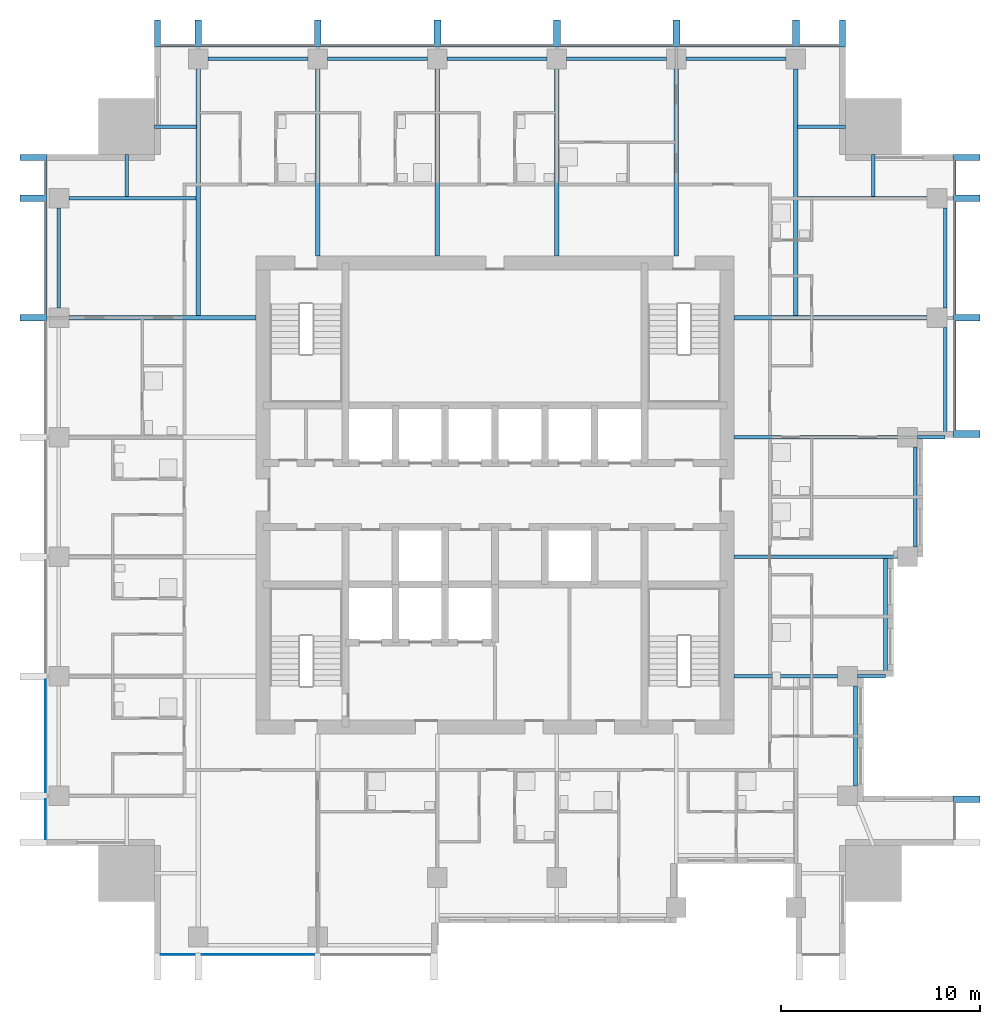
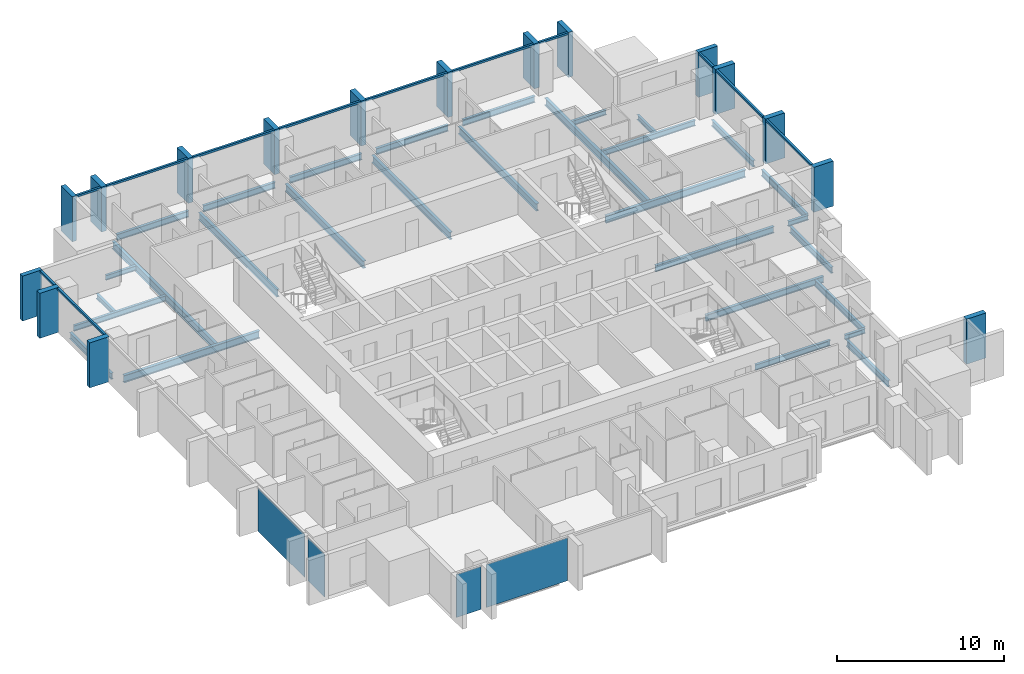
# One storey, part 2 of 11: 30 beams, 28 members, 4 plates, 5 elements without a shape of their own.
"""IFC4 building model written with IfcOpenShell, lengths in metres."""

from ifc_helpers import new_model, si_unit, direction, frame, origin, origin_2d, place, context, subcontext, project, spatial, rectangle, i_section, extrude, material, layer, layer_set, material_profile, profile_set, type_object, element, aggregate, save


model = new_model("IFC4")

# Units and contexts
model_context = context("Model", 3, precision=1e-05, world=origin(), true_north=direction((0.0, 1.0)))
body_context = subcontext(model_context, "Body", "Model", "MODEL_VIEW")
ifc_project = project(units=[si_unit("LENGTHUNIT", "METRE"), si_unit("AREAUNIT", "SQUARE_METRE"), si_unit("VOLUMEUNIT", "CUBIC_METRE"), si_unit("PLANEANGLEUNIT", "RADIAN"), si_unit("MASSUNIT", "GRAM", prefix="KILO")], contexts=[model_context])

# Site, building, storey
site_placement = place(None, origin())
site = spatial("IfcSite", under=ifc_project, at=site_placement, CompositionType="ELEMENT")
building_placement = place(site_placement, origin())
building = spatial("IfcBuilding", under=site, at=building_placement, Name="Amberfall Residences", CompositionType="ELEMENT")
storey_placement = place(building_placement, frame((0.0, 0.0, 161.5)))
storey = spatial("IfcBuildingStorey", under=building, at=storey_placement, Name="L43", CompositionType="ELEMENT", Elevation=161.5)

# Curtain wall, members
ifc_material_1 = material(Name="Bronze anodised aluminium and glass", Category="aluminium")
curtain_wall_type = type_object("IfcCurtainWallType", Name="Curtain wall CW1 tower unit", PredefinedType="USERDEFINED", material=ifc_material_1)
curtain_wall_1_placement = place(storey_placement, origin())
curtain_wall_1 = element("IfcCurtainWall", 1, at=curtain_wall_1_placement, inside=storey, type_object=curtain_wall_type, Name="Curtain wall L43 E E9", ObjectType="UNITISED CURTAIN WALL", PredefinedType="USERDEFINED")
ifc_material_2 = material(Name="Bronze anodised aluminium", Category="aluminium")
ifc_material_profile_1 = material_profile(ifc_material_2, rectangle(XDim=0.14990234375, YDim=0.14990234375, at=origin_2d()), Name="CW1 transom 150 x 150 bronze")
ifc_profile_set_1 = profile_set([ifc_material_profile_1], Name="Bronze anodised aluminium")
member_type_1 = type_object("IfcMemberType", Name="CW1 transom 150 x 150 bronze", PredefinedType="USERDEFINED", material=ifc_profile_set_1)
member_1_placement = place(storey_placement, frame((97.574951171875, 48.75, 2.97509765625), z_axis=(0.0, 1.0, 0.0), x_axis=(-1.0, 0.0, 0.0)))
member_1 = element("IfcMember", 2, at=member_1_placement, type_object=member_type_1, Name="CW1 transom 1.1", ObjectType="TRANSOM", PredefinedType="USERDEFINED", context=body_context, shape_type="SweptSolid", body=[
    extrude(rectangle(XDim=0.14990234375, YDim=0.14990234375, at=origin_2d()), origin(), (0.0, 0.0, 1.0), 5.47509765625),
])
member_2_placement = place(storey_placement, frame((97.574951171875, 54.574951171875, 2.97509765625), z_axis=(0.0, 1.0, 0.0), x_axis=(-1.0, 0.0, 0.0)))
member_2 = element("IfcMember", 3, at=member_2_placement, type_object=member_type_1, Name="CW1 transom 2.1", ObjectType="TRANSOM", PredefinedType="USERDEFINED", context=body_context, shape_type="SweptSolid", body=[
    extrude(rectangle(XDim=0.14990234375, YDim=0.14990234375, at=origin_2d()), origin(), (0.0, 0.0, 1.0), 5.650146484375),
])
member_3_placement = place(storey_placement, frame((97.574951171875, 60.574951171875, 2.97509765625), z_axis=(0.0, 1.0, 0.0), x_axis=(-1.0, 0.0, 0.0)))
member_3 = element("IfcMember", 4, at=member_3_placement, type_object=member_type_1, Name="CW1 transom 3.1", ObjectType="TRANSOM", PredefinedType="USERDEFINED", context=body_context, shape_type="SweptSolid", body=[
    extrude(rectangle(XDim=0.14990234375, YDim=0.14990234375, at=origin_2d()), origin(), (0.0, 0.0, 1.0), 1.72509765625),
])

curtain_wall_2_placement = place(storey_placement, origin())
curtain_wall_2 = element("IfcCurtainWall", 5, at=curtain_wall_2_placement, inside=storey, type_object=curtain_wall_type, Name="Curtain wall L43 N N1", ObjectType="UNITISED CURTAIN WALL", PredefinedType="USERDEFINED")
member_4_placement = place(storey_placement, frame((91.800048828125, 68.074951171875, 2.97509765625), z_axis=(-1.0, 0.0, 0.0), x_axis=(0.0, -1.0, 0.0)))
member_4 = element("IfcMember", 6, at=member_4_placement, type_object=member_type_1, Name="CW1 transom 1.1", ObjectType="TRANSOM", PredefinedType="USERDEFINED", context=body_context, shape_type="SweptSolid", body=[
    extrude(rectangle(XDim=0.14990234375, YDim=0.14990234375, at=origin_2d()), origin(), (0.0, 0.0, 1.0), 2.025146484375),
])
member_5_placement = place(storey_placement, frame((89.425048828125, 68.074951171875, 2.97509765625), z_axis=(-1.0, 0.0, 0.0), x_axis=(0.0, -1.0, 0.0)))
member_5 = element("IfcMember", 7, at=member_5_placement, type_object=member_type_1, Name="CW1 transom 2.1", ObjectType="TRANSOM", PredefinedType="USERDEFINED", context=body_context, shape_type="SweptSolid", body=[
    extrude(rectangle(XDim=0.14990234375, YDim=0.14990234375, at=origin_2d()), origin(), (0.0, 0.0, 1.0), 5.650146484375),
])
member_6_placement = place(storey_placement, frame((83.425048828125, 68.074951171875, 2.97509765625), z_axis=(-1.0, 0.0, 0.0), x_axis=(0.0, -1.0, 0.0)))
member_6 = element("IfcMember", 8, at=member_6_placement, type_object=member_type_1, Name="CW1 transom 3.1", ObjectType="TRANSOM", PredefinedType="USERDEFINED", context=body_context, shape_type="SweptSolid", body=[
    extrude(rectangle(XDim=0.14990234375, YDim=0.14990234375, at=origin_2d()), origin(), (0.0, 0.0, 1.0), 5.650146484375),
])
member_7_placement = place(storey_placement, frame((77.425048828125, 68.074951171875, 2.97509765625), z_axis=(-1.0, 0.0, 0.0), x_axis=(0.0, -1.0, 0.0)))
member_7 = element("IfcMember", 9, at=member_7_placement, type_object=member_type_1, Name="CW1 transom 4.1", ObjectType="TRANSOM", PredefinedType="USERDEFINED", context=body_context, shape_type="SweptSolid", body=[
    extrude(rectangle(XDim=0.14990234375, YDim=0.14990234375, at=origin_2d()), origin(), (0.0, 0.0, 1.0), 5.650146484375),
])
member_8_placement = place(storey_placement, frame((71.425048828125, 68.074951171875, 2.97509765625), z_axis=(-1.0, 0.0, 0.0), x_axis=(0.0, -1.0, 0.0)))
member_8 = element("IfcMember", 10, at=member_8_placement, type_object=member_type_1, Name="CW1 transom 5.1", ObjectType="TRANSOM", PredefinedType="USERDEFINED", context=body_context, shape_type="SweptSolid", body=[
    extrude(rectangle(XDim=0.14990234375, YDim=0.14990234375, at=origin_2d()), origin(), (0.0, 0.0, 1.0), 5.650146484375),
])
member_9_placement = place(storey_placement, frame((65.425048828125, 68.074951171875, 2.97509765625), z_axis=(-1.0, 0.0, 0.0), x_axis=(0.0, -1.0, 0.0)))
member_9 = element("IfcMember", 11, at=member_9_placement, type_object=member_type_1, Name="CW1 transom 6.1", ObjectType="TRANSOM", PredefinedType="USERDEFINED", context=body_context, shape_type="SweptSolid", body=[
    extrude(rectangle(XDim=0.14990234375, YDim=0.14990234375, at=origin_2d()), origin(), (0.0, 0.0, 1.0), 5.650146484375),
])
member_10_placement = place(storey_placement, frame((59.425048828125, 68.074951171875, 2.97509765625), z_axis=(-1.0, 0.0, 0.0), x_axis=(0.0, -1.0, 0.0)))
member_10 = element("IfcMember", 12, at=member_10_placement, type_object=member_type_1, Name="CW1 transom 7.1", ObjectType="TRANSOM", PredefinedType="USERDEFINED", context=body_context, shape_type="SweptSolid", body=[
    extrude(rectangle(XDim=0.14990234375, YDim=0.14990234375, at=origin_2d()), origin(), (0.0, 0.0, 1.0), 1.72509765625),
])

curtain_wall_3_placement = place(storey_placement, origin())
curtain_wall_3 = element("IfcCurtainWall", 13, at=curtain_wall_3_placement, inside=storey, type_object=curtain_wall_type, Name="Curtain wall L43 W W1", ObjectType="UNITISED CURTAIN WALL", PredefinedType="USERDEFINED")
member_11_placement = place(storey_placement, frame((51.925048828125, 62.300048828125, 2.97509765625), z_axis=(0.0, -1.0, 0.0), x_axis=(1.0, 0.0, 0.0)))
member_11 = element("IfcMember", 14, at=member_11_placement, type_object=member_type_1, Name="CW1 transom 1.1", ObjectType="TRANSOM", PredefinedType="USERDEFINED", context=body_context, shape_type="SweptSolid", body=[
    extrude(rectangle(XDim=0.14990234375, YDim=0.14990234375, at=origin_2d()), origin(), (0.0, 0.0, 1.0), 1.72509765625),
])
member_12_placement = place(storey_placement, frame((51.925048828125, 60.22509765625, 2.97509765625), z_axis=(0.0, -1.0, 0.0), x_axis=(1.0, 0.0, 0.0)))
member_12 = element("IfcMember", 15, at=member_12_placement, type_object=member_type_1, Name="CW1 transom 2.1", ObjectType="TRANSOM", PredefinedType="USERDEFINED", context=body_context, shape_type="SweptSolid", body=[
    extrude(rectangle(XDim=0.14990234375, YDim=0.14990234375, at=origin_2d()), origin(), (0.0, 0.0, 1.0), 5.650146484375),
])

# Beams
ifc_material_3 = material(Name="Steel S355", Category="steel")
ifc_material_profile_2 = material_profile(ifc_material_3, i_section(OverallWidth=0.171142578125, OverallDepth=0.351318359375, WebThickness=0.007080078125, FlangeThickness=0.009765625, FilletRadius=0.01025390625, at=origin_2d()), Name="UB 356x171x45")
ifc_profile_set_2 = profile_set([ifc_material_profile_2], Name="Steel S355")
beam_type_1 = type_object("IfcBeamType", Name="Cantilever girder UB 356x171x45", PredefinedType="BEAM", material=ifc_profile_set_2)
for number, where, z_axis, x_axis, name in (
    (16, (92.699951171875, 36.39990234375, -0.42578125), (1.0, 0.0, 0.0), (0.0, 1.0, 0.0), "Cantilever girder B8 L43 19"),
    (17, (95.699951171875, 48.39990234375, -0.42578125), (1.0, 0.0, 0.0), (0.0, 1.0, 0.0), "Cantilever girder B8 L43 20"),
):
    element("IfcBeam", number, at=place(storey_placement, frame(where, z_axis=z_axis, x_axis=x_axis)), inside=storey, type_object=beam_type_1, Name=name, PredefinedType="BEAM", context=body_context, shape_type="SweptSolid", body=[
        extrude(i_section(OverallWidth=0.171142578125, OverallDepth=0.351318359375, WebThickness=0.007080078125, FlangeThickness=0.009765625, FilletRadius=0.01025390625, at=origin_2d()), origin(), (0.0, 0.0, 1.0), 1.400146484375),
    ])

# Member
ifc_material_profile_3 = material_profile(ifc_material_2, rectangle(XDim=1.35009765625, YDim=0.300048828125, at=origin_2d()), Name="Corner fin 300 x 1350 bronze")
ifc_profile_set_3 = profile_set([ifc_material_profile_3], Name="Bronze anodised aluminium")
member_type_2 = type_object("IfcMemberType", Name="Corner fin 300 x 1350 bronze", PredefinedType="MULLION", material=ifc_profile_set_3)
member_13_placement = place(storey_placement, frame((98.175048828125, 62.449951171875, -0.25), z_axis=(0.0, 0.0, 1.0), x_axis=(-1.0, 0.0, 0.0)))
member_13 = element("IfcMember", 18, at=member_13_placement, type_object=member_type_2, Name="CW FIN 4", PredefinedType="MULLION", context=body_context, shape_type="SweptSolid", body=[
    extrude(rectangle(XDim=1.35009765625, YDim=0.300048828125, at=origin_2d()), origin(), (0.0, 0.0, 1.0), 3.300048828125),
])

member_14_placement = place(storey_placement, frame((91.949951171875, 68.675048828125, -0.25), z_axis=(0.0, 0.0, 1.0), x_axis=(0.0, -1.0, 0.0)))
member_14 = element("IfcMember", 19, at=member_14_placement, type_object=member_type_2, Name="CW FIN 1", PredefinedType="MULLION", context=body_context, shape_type="SweptSolid", body=[
    extrude(rectangle(XDim=1.35009765625, YDim=0.300048828125, at=origin_2d()), origin(), (0.0, 0.0, 1.0), 3.300048828125),
])

member_15_placement = place(storey_placement, frame((57.550048828125, 68.675048828125, -0.25), z_axis=(0.0, 0.0, 1.0), x_axis=(0.0, -1.0, 0.0)))
member_15 = element("IfcMember", 20, at=member_15_placement, type_object=member_type_2, Name="CW FIN 8", PredefinedType="MULLION", context=body_context, shape_type="SweptSolid", body=[
    extrude(rectangle(XDim=1.35009765625, YDim=0.300048828125, at=origin_2d()), origin(), (0.0, 0.0, 1.0), 3.300048828125),
])

member_16_placement = place(storey_placement, frame((51.324951171875, 62.449951171875, -0.25), z_axis=(0.0, 0.0, 1.0), x_axis=(1.0, 0.0, 0.0)))
member_16 = element("IfcMember", 21, at=member_16_placement, type_object=member_type_2, Name="CW FIN 1", PredefinedType="MULLION", context=body_context, shape_type="SweptSolid", body=[
    extrude(rectangle(XDim=1.35009765625, YDim=0.300048828125, at=origin_2d()), origin(), (0.0, 0.0, 1.0), 3.300048828125),
])

# Beams
ifc_material_profile_4 = material_profile(ifc_material_3, i_section(OverallWidth=0.18994140625, OverallDepth=0.453369140625, WebThickness=0.008544921875, FlangeThickness=0.0126953125, FilletRadius=0.01025390625, at=origin_2d()), Name="UB 457x191x67")
ifc_profile_set_4 = profile_set([ifc_material_profile_4], Name="Steel S355")
beam_type_2 = type_object("IfcBeamType", Name="Edge beam UB 457x191x67", PredefinedType="SPANDREL", material=ifc_profile_set_4)
beam_1_placement = place(storey_placement, frame((92.60009765625, 30.89990234375, -0.476806640625), z_axis=(0.0, 1.0, 0.0), x_axis=(-1.0, 0.0, 0.0)))
element("IfcBeam", 22, at=beam_1_placement, inside=storey, type_object=beam_type_2, Name="Edge beam B1 L43 14", PredefinedType="SPANDREL", context=body_context, shape_type="SweptSolid", body=[
    extrude(i_section(OverallWidth=0.18994140625, OverallDepth=0.453369140625, WebThickness=0.008544921875, FlangeThickness=0.0126953125, FilletRadius=0.01025390625, at=origin_2d()), origin(), (0.0, 0.0, 1.0), 5.0),
])
beam_2_placement = place(storey_placement, frame((94.10009765625, 36.47998046875, -0.476806640625), z_axis=(0.0, 1.0, 0.0), x_axis=(-1.0, 0.0, 0.0)))
element("IfcBeam", 23, at=beam_2_placement, inside=storey, type_object=beam_type_2, Name="Edge beam B1 L43 15", PredefinedType="SPANDREL", context=body_context, shape_type="SweptSolid", body=[
    extrude(i_section(OverallWidth=0.18994140625, OverallDepth=0.453369140625, WebThickness=0.008544921875, FlangeThickness=0.0126953125, FilletRadius=0.01025390625, at=origin_2d()), origin(), (0.0, 0.0, 1.0), 5.840087890625),
])
beam_3_placement = place(storey_placement, frame((95.60009765625, 42.89990234375, -0.476806640625), z_axis=(0.0, 1.0, 0.0), x_axis=(-1.0, 0.0, 0.0)))
element("IfcBeam", 24, at=beam_3_placement, inside=storey, type_object=beam_type_2, Name="Edge beam B1 L43 16", PredefinedType="SPANDREL", context=body_context, shape_type="SweptSolid", body=[
    extrude(i_section(OverallWidth=0.18994140625, OverallDepth=0.453369140625, WebThickness=0.008544921875, FlangeThickness=0.0126953125, FilletRadius=0.01025390625, at=origin_2d()), origin(), (0.0, 0.0, 1.0), 5.0),
])
beam_4_placement = place(storey_placement, frame((97.10009765625, 48.47998046875, -0.476806640625), z_axis=(0.0, 1.0, 0.0), x_axis=(-1.0, 0.0, 0.0)))
element("IfcBeam", 25, at=beam_4_placement, inside=storey, type_object=beam_type_2, Name="Edge beam B1 L43 17", PredefinedType="SPANDREL", context=body_context, shape_type="SweptSolid", body=[
    extrude(i_section(OverallWidth=0.18994140625, OverallDepth=0.453369140625, WebThickness=0.008544921875, FlangeThickness=0.0126953125, FilletRadius=0.01025390625, at=origin_2d()), origin(), (0.0, 0.0, 1.0), 5.419921875),
])
for number, where, z_axis, x_axis, name in (
    (26, (97.10009765625, 54.89990234375, -0.476806640625), (0.0, 1.0, 0.0), (-1.0, 0.0, 0.0), "Edge beam B1 L43 18"),
    (27, (60.10009765625, 67.39990234375, -0.476806640625), (1.0, 0.0, 0.0), (0.0, 1.0, 0.0), "Edge beam B1 L43 27"),
    (28, (66.10009765625, 67.39990234375, -0.476806640625), (1.0, 0.0, 0.0), (0.0, 1.0, 0.0), "Edge beam B1 L43 28"),
    (29, (72.10009765625, 67.39990234375, -0.476806640625), (1.0, 0.0, 0.0), (0.0, 1.0, 0.0), "Edge beam B1 L43 29"),
    (30, (78.10009765625, 67.39990234375, -0.476806640625), (1.0, 0.0, 0.0), (0.0, 1.0, 0.0), "Edge beam B1 L43 30"),
    (31, (84.10009765625, 67.39990234375, -0.476806640625), (1.0, 0.0, 0.0), (0.0, 1.0, 0.0), "Edge beam B1 L43 31"),
    (32, (52.60009765625, 54.89990234375, -0.476806640625), (0.0, 1.0, 0.0), (-1.0, 0.0, 0.0), "Edge beam B1 L43 42"),
):
    element("IfcBeam", number, at=place(storey_placement, frame(where, z_axis=z_axis, x_axis=x_axis)), inside=storey, type_object=beam_type_2, Name=name, PredefinedType="SPANDREL", context=body_context, shape_type="SweptSolid", body=[
        extrude(i_section(OverallWidth=0.18994140625, OverallDepth=0.453369140625, WebThickness=0.008544921875, FlangeThickness=0.0126953125, FilletRadius=0.01025390625, at=origin_2d()), origin(), (0.0, 0.0, 1.0), 5.0),
    ])

# Curtain wall, member
curtain_wall_4_placement = place(storey_placement, origin())
curtain_wall_4 = element("IfcCurtainWall", 33, at=curtain_wall_4_placement, inside=storey, type_object=curtain_wall_type, Name="Curtain wall L43 E E1", ObjectType="UNITISED CURTAIN WALL", PredefinedType="USERDEFINED")
ifc_material_profile_5 = material_profile(ifc_material_2, rectangle(XDim=1.35009765625, YDim=0.35009765625, at=origin_2d()), Name="Fin 350 x 1350 bronze")
ifc_profile_set_5 = profile_set([ifc_material_profile_5], Name="Bronze anodised aluminium")
member_type_3 = type_object("IfcMemberType", Name="Fin 350 x 1350 bronze", PredefinedType="MULLION", material=ifc_profile_set_5)
member_17_placement = place(storey_placement, frame((98.175048828125, 30.22509765625, -0.25), z_axis=(0.0, 0.0, 1.0), x_axis=(-1.0, 0.0, 0.0)))
member_17 = element("IfcMember", 34, at=member_17_placement, type_object=member_type_3, Name="CW FIN 2", PredefinedType="MULLION", context=body_context, shape_type="SweptSolid", body=[
    extrude(rectangle(XDim=1.35009765625, YDim=0.35009765625, at=origin_2d()), origin(), (0.0, 0.0, 1.0), 3.300048828125),
])
aggregate(curtain_wall_4, [member_17])

# Member
member_18_placement = place(storey_placement, frame((98.175048828125, 48.574951171875, -0.25), z_axis=(0.0, 0.0, 1.0), x_axis=(-1.0, 0.0, 0.0)))
member_18 = element("IfcMember", 35, at=member_18_placement, type_object=member_type_3, Name="CW FIN 1", PredefinedType="MULLION", context=body_context, shape_type="SweptSolid", body=[
    extrude(rectangle(XDim=1.35009765625, YDim=0.35009765625, at=origin_2d()), origin(), (0.0, 0.0, 1.0), 3.300048828125),
])

member_19_placement = place(storey_placement, frame((98.175048828125, 54.39990234375, -0.25), z_axis=(0.0, 0.0, 1.0), x_axis=(-1.0, 0.0, 0.0)))
member_19 = element("IfcMember", 36, at=member_19_placement, type_object=member_type_3, Name="CW FIN 2", PredefinedType="MULLION", context=body_context, shape_type="SweptSolid", body=[
    extrude(rectangle(XDim=1.35009765625, YDim=0.35009765625, at=origin_2d()), origin(), (0.0, 0.0, 1.0), 3.300048828125),
])

member_20_placement = place(storey_placement, frame((98.175048828125, 60.39990234375, -0.25), z_axis=(0.0, 0.0, 1.0), x_axis=(-1.0, 0.0, 0.0)))
member_20 = element("IfcMember", 37, at=member_20_placement, type_object=member_type_3, Name="CW FIN 3", PredefinedType="MULLION", context=body_context, shape_type="SweptSolid", body=[
    extrude(rectangle(XDim=1.35009765625, YDim=0.35009765625, at=origin_2d()), origin(), (0.0, 0.0, 1.0), 3.300048828125),
])

aggregate(curtain_wall_1, [member_18, member_19, member_20, member_13, member_1, member_2, member_3])

member_21_placement = place(storey_placement, frame((89.60009765625, 68.675048828125, -0.25), z_axis=(0.0, 0.0, 1.0), x_axis=(0.0, -1.0, 0.0)))
member_21 = element("IfcMember", 38, at=member_21_placement, type_object=member_type_3, Name="CW FIN 2", PredefinedType="MULLION", context=body_context, shape_type="SweptSolid", body=[
    extrude(rectangle(XDim=1.35009765625, YDim=0.35009765625, at=origin_2d()), origin(), (0.0, 0.0, 1.0), 3.300048828125),
])

member_22_placement = place(storey_placement, frame((83.60009765625, 68.675048828125, -0.25), z_axis=(0.0, 0.0, 1.0), x_axis=(0.0, -1.0, 0.0)))
member_22 = element("IfcMember", 39, at=member_22_placement, type_object=member_type_3, Name="CW FIN 3", PredefinedType="MULLION", context=body_context, shape_type="SweptSolid", body=[
    extrude(rectangle(XDim=1.35009765625, YDim=0.35009765625, at=origin_2d()), origin(), (0.0, 0.0, 1.0), 3.300048828125),
])

member_23_placement = place(storey_placement, frame((77.60009765625, 68.675048828125, -0.25), z_axis=(0.0, 0.0, 1.0), x_axis=(0.0, -1.0, 0.0)))
member_23 = element("IfcMember", 40, at=member_23_placement, type_object=member_type_3, Name="CW FIN 4", PredefinedType="MULLION", context=body_context, shape_type="SweptSolid", body=[
    extrude(rectangle(XDim=1.35009765625, YDim=0.35009765625, at=origin_2d()), origin(), (0.0, 0.0, 1.0), 3.300048828125),
])

member_24_placement = place(storey_placement, frame((71.60009765625, 68.675048828125, -0.25), z_axis=(0.0, 0.0, 1.0), x_axis=(0.0, -1.0, 0.0)))
member_24 = element("IfcMember", 41, at=member_24_placement, type_object=member_type_3, Name="CW FIN 5", PredefinedType="MULLION", context=body_context, shape_type="SweptSolid", body=[
    extrude(rectangle(XDim=1.35009765625, YDim=0.35009765625, at=origin_2d()), origin(), (0.0, 0.0, 1.0), 3.300048828125),
])

member_25_placement = place(storey_placement, frame((65.60009765625, 68.675048828125, -0.25), z_axis=(0.0, 0.0, 1.0), x_axis=(0.0, -1.0, 0.0)))
member_25 = element("IfcMember", 42, at=member_25_placement, type_object=member_type_3, Name="CW FIN 6", PredefinedType="MULLION", context=body_context, shape_type="SweptSolid", body=[
    extrude(rectangle(XDim=1.35009765625, YDim=0.35009765625, at=origin_2d()), origin(), (0.0, 0.0, 1.0), 3.300048828125),
])

member_26_placement = place(storey_placement, frame((59.60009765625, 68.675048828125, -0.25), z_axis=(0.0, 0.0, 1.0), x_axis=(0.0, -1.0, 0.0)))
member_26 = element("IfcMember", 43, at=member_26_placement, type_object=member_type_3, Name="CW FIN 7", PredefinedType="MULLION", context=body_context, shape_type="SweptSolid", body=[
    extrude(rectangle(XDim=1.35009765625, YDim=0.35009765625, at=origin_2d()), origin(), (0.0, 0.0, 1.0), 3.300048828125),
])

aggregate(curtain_wall_2, [member_14, member_21, member_22, member_23, member_24, member_25, member_26, member_15, member_4, member_5, member_6, member_7, member_8, member_9, member_10])

member_27_placement = place(storey_placement, frame((51.324951171875, 60.39990234375, -0.25), z_axis=(0.0, 0.0, 1.0), x_axis=(1.0, 0.0, 0.0)))
member_27 = element("IfcMember", 44, at=member_27_placement, type_object=member_type_3, Name="CW FIN 2", PredefinedType="MULLION", context=body_context, shape_type="SweptSolid", body=[
    extrude(rectangle(XDim=1.35009765625, YDim=0.35009765625, at=origin_2d()), origin(), (0.0, 0.0, 1.0), 3.300048828125),
])

member_28_placement = place(storey_placement, frame((51.324951171875, 54.39990234375, -0.25), z_axis=(0.0, 0.0, 1.0), x_axis=(1.0, 0.0, 0.0)))
member_28 = element("IfcMember", 45, at=member_28_placement, type_object=member_type_3, Name="CW FIN 3", PredefinedType="MULLION", context=body_context, shape_type="SweptSolid", body=[
    extrude(rectangle(XDim=1.35009765625, YDim=0.35009765625, at=origin_2d()), origin(), (0.0, 0.0, 1.0), 3.300048828125),
])

# Beams
ifc_material_profile_6 = material_profile(ifc_material_3, i_section(OverallWidth=0.177734375, OverallDepth=0.402587890625, WebThickness=0.0078125, FlangeThickness=0.010986328125, FilletRadius=0.01025390625, at=origin_2d()), Name="UB 406x178x54")
ifc_profile_set_6 = profile_set([ifc_material_profile_6], Name="Steel S355")
beam_type_3 = type_object("IfcBeamType", Name="Floor girder UB 406x178x54", PredefinedType="BEAM", material=ifc_profile_set_6)
beam_5_placement = place(storey_placement, frame((91.699951171875, 36.39990234375, -0.451416015625), z_axis=(-1.0, 0.0, 0.0), x_axis=(0.0, -1.0, 0.0)))
element("IfcBeam", 46, at=beam_5_placement, inside=storey, type_object=beam_type_3, Name="Floor girder B4 L43 22", PredefinedType="BEAM", context=body_context, shape_type="SweptSolid", body=[
    extrude(i_section(OverallWidth=0.177734375, OverallDepth=0.402587890625, WebThickness=0.0078125, FlangeThickness=0.010986328125, FilletRadius=0.01025390625, at=origin_2d()), origin(), (0.0, 0.0, 1.0), 5.199951171875),
])
beam_6_placement = place(storey_placement, frame((96.199951171875, 60.39990234375, -0.451416015625), z_axis=(-1.0, 0.0, 0.0), x_axis=(0.0, -1.0, 0.0)))
element("IfcBeam", 47, at=beam_6_placement, inside=storey, type_object=beam_type_3, Name="Floor girder B4 L43 26", PredefinedType="BEAM", context=body_context, shape_type="SweptSolid", body=[
    extrude(i_section(OverallWidth=0.177734375, OverallDepth=0.402587890625, WebThickness=0.0078125, FlangeThickness=0.010986328125, FilletRadius=0.01025390625, at=origin_2d()), origin(), (0.0, 0.0, 1.0), 6.47998046875),
])
beam_7_placement = place(storey_placement, frame((53.10009765625, 60.39990234375, -0.451416015625), z_axis=(1.0, 0.0, 0.0), x_axis=(0.0, 1.0, 0.0)))
element("IfcBeam", 48, at=beam_7_placement, inside=storey, type_object=beam_type_3, Name="Floor girder B4 L43 48", PredefinedType="BEAM", context=body_context, shape_type="SweptSolid", body=[
    extrude(i_section(OverallWidth=0.177734375, OverallDepth=0.402587890625, WebThickness=0.0078125, FlangeThickness=0.010986328125, FilletRadius=0.01025390625, at=origin_2d()), origin(), (0.0, 0.0, 1.0), 6.3798828125),
])
ifc_material_profile_7 = material_profile(ifc_material_3, i_section(OverallWidth=0.19140625, OverallDepth=0.4599609375, WebThickness=0.010009765625, FlangeThickness=0.01611328125, FilletRadius=0.01025390625, at=origin_2d()), Name="UB 457x191x82")
ifc_profile_set_7 = profile_set([ifc_material_profile_7], Name="Steel S355")
beam_type_4 = type_object("IfcBeamType", Name="Floor girder UB 457x191x82", PredefinedType="BEAM", material=ifc_profile_set_7)
for number, where, z_axis, x_axis, name in (
    (49, (94.699951171875, 42.39990234375, -0.47998046875), (-1.0, 0.0, 0.0), (0.0, -1.0, 0.0), "Floor girder B10 L43 23"),
    (50, (94.699951171875, 48.39990234375, -0.47998046875), (-1.0, 0.0, 0.0), (0.0, -1.0, 0.0), "Floor girder B10 L43 24"),
):
    element("IfcBeam", number, at=place(storey_placement, frame(where, z_axis=z_axis, x_axis=x_axis)), inside=storey, type_object=beam_type_4, Name=name, PredefinedType="BEAM", context=body_context, shape_type="SweptSolid", body=[
        extrude(i_section(OverallWidth=0.19140625, OverallDepth=0.4599609375, WebThickness=0.010009765625, FlangeThickness=0.01611328125, FilletRadius=0.01025390625, at=origin_2d()), origin(), (0.0, 0.0, 1.0), 8.199951171875),
    ])
ifc_material_profile_8 = material_profile(ifc_material_3, i_section(OverallWidth=0.210693359375, OverallDepth=0.53955078125, WebThickness=0.01171875, FlangeThickness=0.018798828125, FilletRadius=0.0126953125, at=origin_2d()), Name="UB 533x210x109")
ifc_profile_set_8 = profile_set([ifc_material_profile_8], Name="Steel S355")
beam_type_5 = type_object("IfcBeamType", Name="Floor girder UB 533x210x109", PredefinedType="BEAM", material=ifc_profile_set_8)
for number, where, z_axis, x_axis, name in (
    (51, (59.60009765625, 66.89990234375, -0.519775390625), (0.0, -1.0, 0.0), (1.0, 0.0, 0.0), "Floor girder B2 L43 32"),
    (52, (89.60009765625, 66.89990234375, -0.519775390625), (0.0, -1.0, 0.0), (1.0, 0.0, 0.0), "Floor girder B2 L43 37"),
):
    element("IfcBeam", number, at=place(storey_placement, frame(where, z_axis=z_axis, x_axis=x_axis)), inside=storey, type_object=beam_type_5, Name=name, PredefinedType="BEAM", context=body_context, shape_type="SweptSolid", body=[
        extrude(i_section(OverallWidth=0.210693359375, OverallDepth=0.53955078125, WebThickness=0.01171875, FlangeThickness=0.018798828125, FilletRadius=0.0126953125, at=origin_2d()), origin(), (0.0, 0.0, 1.0), 12.400390625),
    ])
ifc_material_profile_9 = material_profile(ifc_material_3, i_section(OverallWidth=0.209228515625, OverallDepth=0.533203125, WebThickness=0.010009765625, FlangeThickness=0.015625, FilletRadius=0.0126953125, at=origin_2d()), Name="UB 533x210x92")
ifc_profile_set_9 = profile_set([ifc_material_profile_9], Name="Steel S355")
beam_type_6 = type_object("IfcBeamType", Name="Floor girder UB 533x210x92", PredefinedType="BEAM", material=ifc_profile_set_9)
beam_8_placement = place(storey_placement, frame((96.199951171875, 54.39990234375, -0.5166015625), z_axis=(-1.0, 0.0, 0.0), x_axis=(0.0, -1.0, 0.0)))
element("IfcBeam", 53, at=beam_8_placement, inside=storey, type_object=beam_type_6, Name="Floor girder B3 L43 25", PredefinedType="BEAM", context=body_context, shape_type="SweptSolid", body=[
    extrude(i_section(OverallWidth=0.209228515625, OverallDepth=0.533203125, WebThickness=0.010009765625, FlangeThickness=0.015625, FilletRadius=0.0126953125, at=origin_2d()), origin(), (0.0, 0.0, 1.0), 9.699951171875),
])
for number, where, z_axis, x_axis, name in (
    (54, (65.60009765625, 66.89990234375, -0.5166015625), (0.0, -1.0, 0.0), (1.0, 0.0, 0.0), "Floor girder B3 L43 33"),
    (55, (71.60009765625, 66.89990234375, -0.5166015625), (0.0, -1.0, 0.0), (1.0, 0.0, 0.0), "Floor girder B3 L43 34"),
    (56, (77.60009765625, 66.89990234375, -0.5166015625), (0.0, -1.0, 0.0), (1.0, 0.0, 0.0), "Floor girder B3 L43 35"),
    (57, (83.60009765625, 66.89990234375, -0.5166015625), (0.0, -1.0, 0.0), (1.0, 0.0, 0.0), "Floor girder B3 L43 36"),
    (58, (53.10009765625, 54.39990234375, -0.5166015625), (1.0, 0.0, 0.0), (0.0, 1.0, 0.0), "Floor girder B3 L43 47"),
):
    element("IfcBeam", number, at=place(storey_placement, frame(where, z_axis=z_axis, x_axis=x_axis)), inside=storey, type_object=beam_type_6, Name=name, PredefinedType="BEAM", context=body_context, shape_type="SweptSolid", body=[
        extrude(i_section(OverallWidth=0.209228515625, OverallDepth=0.533203125, WebThickness=0.010009765625, FlangeThickness=0.015625, FilletRadius=0.0126953125, at=origin_2d()), origin(), (0.0, 0.0, 1.0), 9.39990234375),
    ])
ifc_material_profile_10 = material_profile(ifc_material_3, i_section(OverallWidth=0.171142578125, OverallDepth=0.351318359375, WebThickness=0.007080078125, FlangeThickness=0.009765625, FilletRadius=0.01025390625, at=origin_2d()), Name="UB 356x171x45")
ifc_profile_set_10 = profile_set([ifc_material_profile_10], Name="Steel S355")
beam_type_7 = type_object("IfcBeamType", Name="Link beam UB 356x171x45", PredefinedType="BEAM", material=ifc_profile_set_10)
beam_9_placement = place(storey_placement, frame((92.10009765625, 64.0, -0.42578125), z_axis=(-1.0, 0.0, 0.0), x_axis=(0.0, -1.0, 0.0)))
element("IfcBeam", 59, at=beam_9_placement, inside=storey, type_object=beam_type_7, Name="Link beam B7 L43 53", PredefinedType="BEAM", context=body_context, shape_type="SweptSolid", body=[
    extrude(i_section(OverallWidth=0.171142578125, OverallDepth=0.351318359375, WebThickness=0.007080078125, FlangeThickness=0.009765625, FilletRadius=0.01025390625, at=origin_2d()), origin(), (0.0, 0.0, 1.0), 2.40478515625),
])
beam_10_placement = place(storey_placement, frame((93.5, 62.60009765625, -0.42578125), z_axis=(0.0, -1.0, 0.0), x_axis=(1.0, 0.0, 0.0)))
element("IfcBeam", 60, at=beam_10_placement, inside=storey, type_object=beam_type_7, Name="Link beam B7 L43 54", PredefinedType="BEAM", context=body_context, shape_type="SweptSolid", body=[
    extrude(i_section(OverallWidth=0.171142578125, OverallDepth=0.351318359375, WebThickness=0.007080078125, FlangeThickness=0.009765625, FilletRadius=0.01025390625, at=origin_2d()), origin(), (0.0, 0.0, 1.0), 2.12109375),
])
beam_11_placement = place(storey_placement, frame((57.39990234375, 64.0, -0.42578125), z_axis=(1.0, 0.0, 0.0), x_axis=(0.0, 1.0, 0.0)))
element("IfcBeam", 61, at=beam_11_placement, inside=storey, type_object=beam_type_7, Name="Link beam B7 L43 55", PredefinedType="BEAM", context=body_context, shape_type="SweptSolid", body=[
    extrude(i_section(OverallWidth=0.171142578125, OverallDepth=0.351318359375, WebThickness=0.007080078125, FlangeThickness=0.009765625, FilletRadius=0.01025390625, at=origin_2d()), origin(), (0.0, 0.0, 1.0), 2.104736328125),
])
beam_12_placement = place(storey_placement, frame((56.0, 62.60009765625, -0.42578125), z_axis=(0.0, -1.0, 0.0), x_axis=(1.0, 0.0, 0.0)))
element("IfcBeam", 62, at=beam_12_placement, inside=storey, type_object=beam_type_7, Name="Link beam B7 L43 56", PredefinedType="BEAM", context=body_context, shape_type="SweptSolid", body=[
    extrude(i_section(OverallWidth=0.171142578125, OverallDepth=0.351318359375, WebThickness=0.007080078125, FlangeThickness=0.009765625, FilletRadius=0.01025390625, at=origin_2d()), origin(), (0.0, 0.0, 1.0), 2.12109375),
])

# Curtain wall, plates
curtain_wall_5_placement = place(storey_placement, origin())
curtain_wall_5 = element("IfcCurtainWall", 63, at=curtain_wall_5_placement, inside=storey, type_object=curtain_wall_type, Name="Curtain wall L43 S S1", ObjectType="UNITISED CURTAIN WALL", PredefinedType="USERDEFINED")
ifc_material_4 = material(Name="Tinted double glazed unit", Category="glass")
ifc_layer = layer(ifc_material_4, 0.035888671875)
ifc_layer_set = layer_set([ifc_layer], Name="CW1 panel 36 glazing")
plate_type = type_object("IfcPlateType", Name="CW1 panel 36 glazing", PredefinedType="CURTAIN_PANEL", material=ifc_layer_set)
plate_1_placement = place(storey_placement, frame((58.5625, 22.425048828125, -0.25), z_axis=(0.0, 0.0, 1.0), x_axis=(1.0, 0.0, 0.0)))
plate_1 = element("IfcPlate", 64, at=plate_1_placement, type_object=plate_type, Name="CW1 panel 1.1", PredefinedType="CURTAIN_PANEL", context=body_context, shape_type="SweptSolid", body=[
    extrude(rectangle(XDim=1.700927734375, YDim=0.035888671875, at=origin_2d()), origin(), (0.0, 0.0, 1.0), 3.14990234375),
])
plate_2_placement = place(storey_placement, frame((62.60009765625, 22.425048828125, -0.25), z_axis=(0.0, 0.0, 1.0), x_axis=(1.0, 0.0, 0.0)))
plate_2 = element("IfcPlate", 65, at=plate_2_placement, type_object=plate_type, Name="CW1 panel 2.1", PredefinedType="CURTAIN_PANEL", context=body_context, shape_type="SweptSolid", body=[
    extrude(rectangle(XDim=5.6259765625, YDim=0.035888671875, at=origin_2d()), origin(), (0.0, 0.0, 1.0), 3.14990234375),
])
aggregate(curtain_wall_5, [plate_1, plate_2])

# Plate
plate_3_placement = place(storey_placement, frame((51.925048828125, 33.39990234375, -0.25), z_axis=(0.0, 0.0, 1.0), x_axis=(0.0, -1.0, 0.0)))
plate_3 = element("IfcPlate", 66, at=plate_3_placement, type_object=plate_type, Name="CW1 panel 6.1", PredefinedType="CURTAIN_PANEL", context=body_context, shape_type="SweptSolid", body=[
    extrude(rectangle(XDim=5.6259765625, YDim=0.035888671875, at=origin_2d()), origin(), (0.0, 0.0, 1.0), 3.14990234375),
])

plate_4_placement = place(storey_placement, frame((51.925048828125, 29.21240234375, -0.25), z_axis=(0.0, 0.0, 1.0), x_axis=(0.0, -1.0, 0.0)))
plate_4 = element("IfcPlate", 67, at=plate_4_placement, type_object=plate_type, Name="CW1 panel 7.1", PredefinedType="CURTAIN_PANEL", context=body_context, shape_type="SweptSolid", body=[
    extrude(rectangle(XDim=2.0009765625, YDim=0.035888671875, at=origin_2d()), origin(), (0.0, 0.0, 1.0), 3.14990234375),
])

aggregate(curtain_wall_3, [member_16, member_27, member_28, member_11, member_12, plate_3, plate_4])

save(model, "model.ifc")
